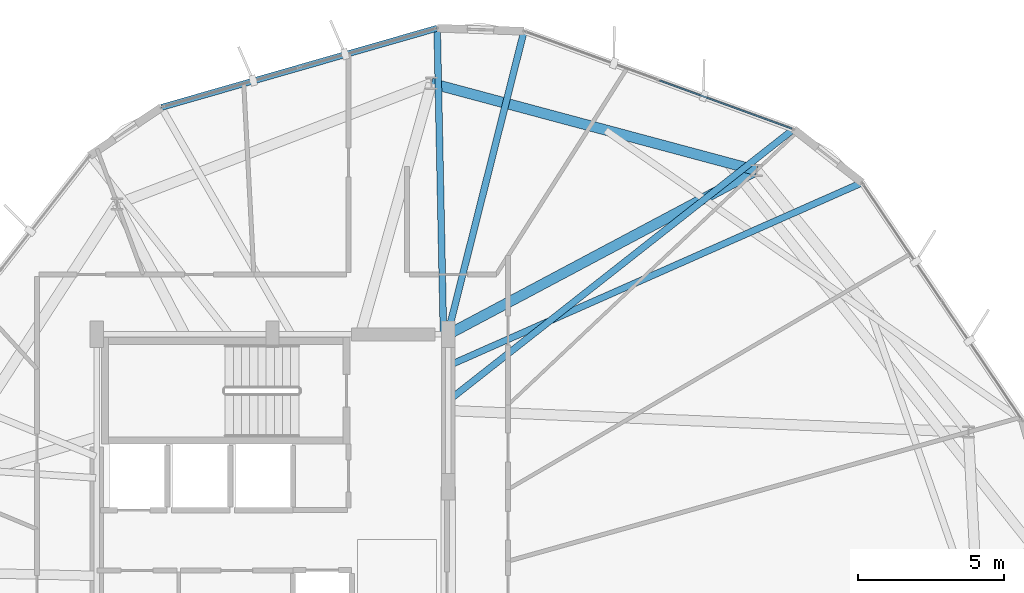
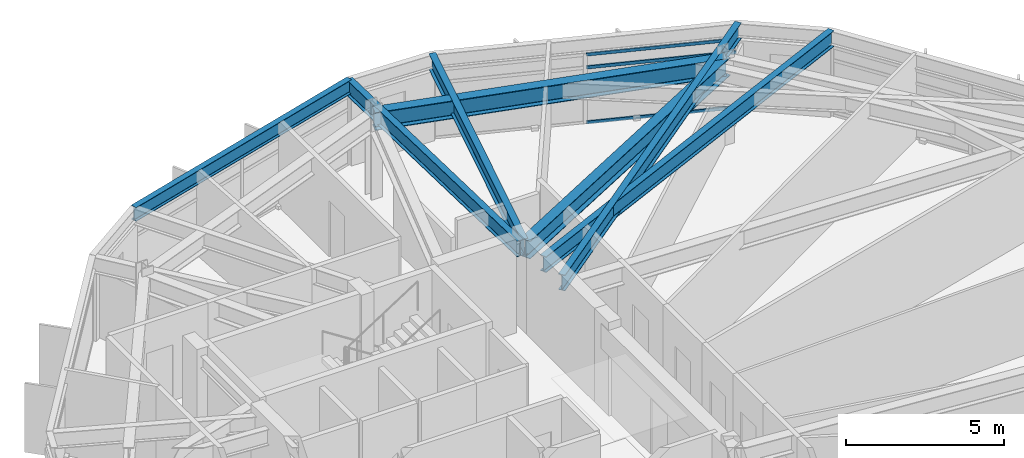
# One storey, part 18 of 30: 7 beams, 3 members, 1 element without a shape of its own.
"""IFC4 building model written with IfcOpenShell, lengths in metres."""

from ifc_helpers import new_model, si_unit, direction, frame, origin, origin_2d, place, context, subcontext, project, spatial, hollow_rectangle, i_section, extrude, material, layer, layer_set, material_profile, profile_set, type_object, element, aggregate, save


model = new_model("IFC4")

# Units and contexts
model_context = context("Model", 3, precision=1e-05, world=origin(), true_north=direction((0.0, 1.0)))
body_context = subcontext(model_context, "Body", "Model", "MODEL_VIEW")
ifc_project = project(units=[si_unit("LENGTHUNIT", "METRE"), si_unit("AREAUNIT", "SQUARE_METRE"), si_unit("VOLUMEUNIT", "CUBIC_METRE"), si_unit("PLANEANGLEUNIT", "RADIAN"), si_unit("MASSUNIT", "GRAM", prefix="KILO")], contexts=[model_context])

# Site, building, storey
site_placement = place(None, origin())
site = spatial("IfcSite", under=ifc_project, at=site_placement, CompositionType="ELEMENT")
building_placement = place(site_placement, origin())
building = spatial("IfcBuilding", under=site, at=building_placement, Name="Soratama Intermodal Tower", CompositionType="ELEMENT")
storey_placement = place(building_placement, frame((0.0, 0.0, 223.0)))
storey = spatial("IfcBuildingStorey", under=building, at=storey_placement, Name="L56", CompositionType="ELEMENT", Elevation=223.0)

# Beams
ifc_material_1 = material(Name="Structural steel ASTM A992 Grade 50", Category="steel")
ifc_material_profile_1 = material_profile(ifc_material_1, i_section(OverallWidth=0.35498046875, OverallDepth=0.695068359375, WebThickness=0.015380859375, FlangeThickness=0.02490234375, FilletRadius=0.01611328125, at=origin_2d()), Name="W27X146")
ifc_profile_set_1 = profile_set([ifc_material_profile_1], Name="Structural steel ASTM A992 Grade 50")
beam_type_1 = type_object("IfcBeamType", Name="BM-RING-W27X146", PredefinedType="BEAM", material=ifc_profile_set_1)
beam_1_placement = place(storey_placement, frame((55.1298828125, 40.59912109375, 2.952392578125), z_axis=(-0.965907374298, 0.258887899055, 0.0), x_axis=(-0.258887899055, -0.965907374298, 0.0)))
element("IfcBeam", 1, at=beam_1_placement, inside=storey, type_object=beam_type_1, Name="BM-L56-RING-02", PredefinedType="BEAM", context=body_context, shape_type="SweptSolid", body=[
    extrude(i_section(OverallWidth=0.35498046875, OverallDepth=0.695068359375, WebThickness=0.015380859375, FlangeThickness=0.02490234375, FilletRadius=0.01611328125, at=origin_2d()), origin(), (0.0, 0.0, 1.0), 11.49462890625),
])
beam_2_placement = place(storey_placement, frame((44.60009765625, 35.0, 2.952392578125), z_axis=(0.882935948236, 0.469493462482, 0.0), x_axis=(-0.469493462482, 0.882935948236, 0.0)))
element("IfcBeam", 2, at=beam_2_placement, inside=storey, type_object=beam_type_1, Name="BM-L56-RAD-02", PredefinedType="BEAM", context=body_context, shape_type="SweptSolid", body=[
    extrude(i_section(OverallWidth=0.35498046875, OverallDepth=0.695068359375, WebThickness=0.015380859375, FlangeThickness=0.02490234375, FilletRadius=0.01611328125, at=origin_2d()), origin(), (0.0, 0.0, 1.0), 11.92578125),
])
ifc_material_2 = material(Name="Structural steel ASTM A992 Grade 50", Category="steel")
ifc_material_profile_2 = material_profile(ifc_material_2, i_section(OverallWidth=0.2099609375, OverallDepth=0.537109375, WebThickness=0.010986328125, FlangeThickness=0.017333984375, FilletRadius=0.012939453125, at=origin_2d()), Name="W21X68")
ifc_profile_set_2 = profile_set([ifc_material_profile_2], Name="Structural steel ASTM A992 Grade 50")
beam_type_2 = type_object("IfcBeamType", Name="BM-SPN-W21X68", PredefinedType="SPANDREL", material=ifc_profile_set_2)
beam_3_placement = place(storey_placement, frame((44.222900390625, 45.45703125, 3.031494140625), z_axis=(-0.961158254541, -0.275997843702, 0.0), x_axis=(0.275997843702, -0.961158254541, 0.0)))
element("IfcBeam", 3, at=beam_3_placement, inside=storey, type_object=beam_type_2, Name="BS-L56-F02", PredefinedType="SPANDREL", context=body_context, shape_type="SweptSolid", body=[
    extrude(i_section(OverallWidth=0.2099609375, OverallDepth=0.537109375, WebThickness=0.010986328125, FlangeThickness=0.017333984375, FilletRadius=0.012939453125, at=origin_2d()), origin(), (0.0, 0.0, 1.0), 9.797607421875),
])
ifc_material_3 = material(Name="Structural steel ASTM A992 Grade 50", Category="steel")
ifc_material_profile_3 = material_profile(ifc_material_3, i_section(OverallWidth=0.22900390625, OverallDepth=0.612060546875, WebThickness=0.011962890625, FlangeThickness=0.01953125, FilletRadius=0.012939453125, at=origin_2d()), Name="W24X84")
ifc_profile_set_3 = profile_set([ifc_material_profile_3], Name="Structural steel ASTM A992 Grade 50")
beam_type_3 = type_object("IfcBeamType", Name="BM-TIE-W24X84", PredefinedType="BEAM", material=ifc_profile_set_3)
beam_4_placement = place(storey_placement, frame((44.631103515625, 32.757080078125, 2.993896484375), z_axis=(0.786118473433, 0.618075841404, 0.0), x_axis=(-0.618075841404, 0.786118473433, 0.0)))
element("IfcBeam", 4, at=beam_4_placement, inside=storey, type_object=beam_type_3, Name="BM-L56-TIE0-01", PredefinedType="BEAM", context=body_context, shape_type="SweptSolid", body=[
    extrude(i_section(OverallWidth=0.22900390625, OverallDepth=0.612060546875, WebThickness=0.011962890625, FlangeThickness=0.01953125, FilletRadius=0.012939453125, at=origin_2d()), origin(), (0.0, 0.0, 1.0), 14.9658203125),
])
beam_5_placement = place(storey_placement, frame((44.590087890625, 35.0390625, 2.993896484375), z_axis=(0.244209252339, 0.969722558814, 0.0), x_axis=(-0.969722558814, 0.244209252339, 0.0)))
element("IfcBeam", 5, at=beam_5_placement, inside=storey, type_object=beam_type_3, Name="BM-L56-TIE1-01", PredefinedType="BEAM", context=body_context, shape_type="SweptSolid", body=[
    extrude(i_section(OverallWidth=0.22900390625, OverallDepth=0.612060546875, WebThickness=0.011962890625, FlangeThickness=0.01953125, FilletRadius=0.012939453125, at=origin_2d()), origin(), (0.0, 0.0, 1.0), 10.637939453125),
])
beam_6_placement = place(storey_placement, frame((44.43701171875, 35.0400390625, 2.993896484375), z_axis=(-0.02054970484, 0.99978883252, 0.0), x_axis=(-0.99978883252, -0.02054970484, 0.0)))
element("IfcBeam", 6, at=beam_6_placement, inside=storey, type_object=beam_type_3, Name="BM-L56-TIE0-02", PredefinedType="BEAM", context=body_context, shape_type="SweptSolid", body=[
    extrude(i_section(OverallWidth=0.22900390625, OverallDepth=0.612060546875, WebThickness=0.011962890625, FlangeThickness=0.01953125, FilletRadius=0.012939453125, at=origin_2d()), origin(), (0.0, 0.0, 1.0), 10.419189453125),
])
beam_7_placement = place(storey_placement, frame((44.636962890625, 33.944091796875, 2.993896484375), z_axis=(0.914496010579, 0.404594916719, 0.0), x_axis=(-0.404594916719, 0.914496010579, 0.0)))
element("IfcBeam", 7, at=beam_7_placement, inside=storey, type_object=beam_type_3, Name="BM-L56-TIE1-10", PredefinedType="BEAM", context=body_context, shape_type="SweptSolid", body=[
    extrude(i_section(OverallWidth=0.22900390625, OverallDepth=0.612060546875, WebThickness=0.011962890625, FlangeThickness=0.01953125, FilletRadius=0.012939453125, at=origin_2d()), origin(), (0.0, 0.0, 1.0), 15.4150390625),
])

# Curtain wall, members
ifc_material_4 = material(Name="Double-glazed aluminium curtain wall", Category="aluminium")
ifc_layer = layer(ifc_material_4, 0.159912109375)
ifc_layer_set = layer_set([ifc_layer], Name="Double-glazed aluminium curtain wall")
curtain_wall_type = type_object("IfcCurtainWallType", Name="CW-SYS-5", PredefinedType="NOTDEFINED", material=ifc_layer_set)
curtain_wall_placement = place(storey_placement, origin())
curtain_wall = element("IfcCurtainWall", 8, at=curtain_wall_placement, inside=storey, type_object=curtain_wall_type, Name="L56 Faceted Curtain Wall F01", PredefinedType="NOTDEFINED")
ifc_material_5 = material(Name="Anodised aluminium AA 6063-T6", Category="aluminium")
ifc_material_profile_4 = material_profile(ifc_material_5, hollow_rectangle(XDim=0.06005859375, YDim=0.1298828125, WallThickness=0.0048828125, InnerFilletRadius=0.0048828125, OuterFilletRadius=0.010009765625, at=origin_2d()), Name="CWT130X60X5")
ifc_profile_set_4 = profile_set([ifc_material_profile_4], Name="Anodised aluminium AA 6063-T6")
member_type = type_object("IfcMemberType", Name="TT-CWT-2", PredefinedType="USERDEFINED", material=ifc_profile_set_4)
member_1_placement = place(storey_placement, frame((56.33935546875, 42.02734375, 0.030029296875), z_axis=(-0.939814174693, 0.34168599188, 0.0), x_axis=(-0.34168599188, -0.939814174693, 0.0)))
member_1 = element("IfcMember", 9, at=member_1_placement, type_object=member_type, Name="CW-5 transom 1.1", ObjectType="TRANSOM", PredefinedType="USERDEFINED", context=body_context, shape_type="SweptSolid", body=[
    extrude(hollow_rectangle(XDim=0.06005859375, YDim=0.1298828125, WallThickness=0.0048828125, InnerFilletRadius=0.0048828125, OuterFilletRadius=0.010009765625, at=origin_2d()), origin(), (0.0, 0.0, 1.0), 4.80859375),
])
member_2_placement = place(storey_placement, frame((56.33935546875, 42.02734375, 2.14990234375), z_axis=(-0.939814174693, 0.34168599188, 0.0), x_axis=(-0.34168599188, -0.939814174693, 0.0)))
member_2 = element("IfcMember", 10, at=member_2_placement, type_object=member_type, Name="CW-5 transom 1.2", ObjectType="TRANSOM", PredefinedType="USERDEFINED", context=body_context, shape_type="SweptSolid", body=[
    extrude(hollow_rectangle(XDim=0.06005859375, YDim=0.1298828125, WallThickness=0.0048828125, InnerFilletRadius=0.0048828125, OuterFilletRadius=0.010009765625, at=origin_2d()), origin(), (0.0, 0.0, 1.0), 4.80859375),
])
member_3_placement = place(storey_placement, frame((56.33935546875, 42.02734375, 2.64892578125), z_axis=(-0.939814174693, 0.34168599188, 0.0), x_axis=(-0.34168599188, -0.939814174693, 0.0)))
member_3 = element("IfcMember", 11, at=member_3_placement, type_object=member_type, Name="CW-5 transom 1.3", ObjectType="TRANSOM", PredefinedType="USERDEFINED", context=body_context, shape_type="SweptSolid", body=[
    extrude(hollow_rectangle(XDim=0.06005859375, YDim=0.1298828125, WallThickness=0.0048828125, InnerFilletRadius=0.0048828125, OuterFilletRadius=0.010009765625, at=origin_2d()), origin(), (0.0, 0.0, 1.0), 4.80859375),
])
aggregate(curtain_wall, [member_1, member_2, member_3])

save(model, "model.ifc")
